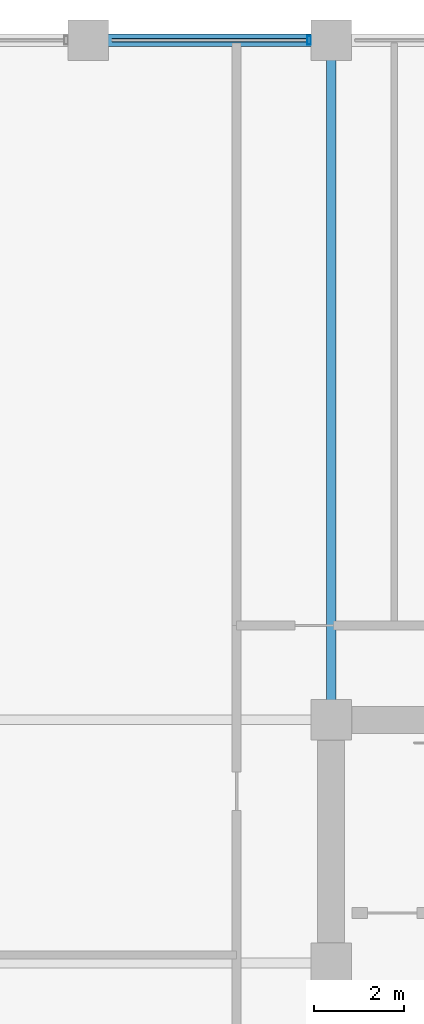
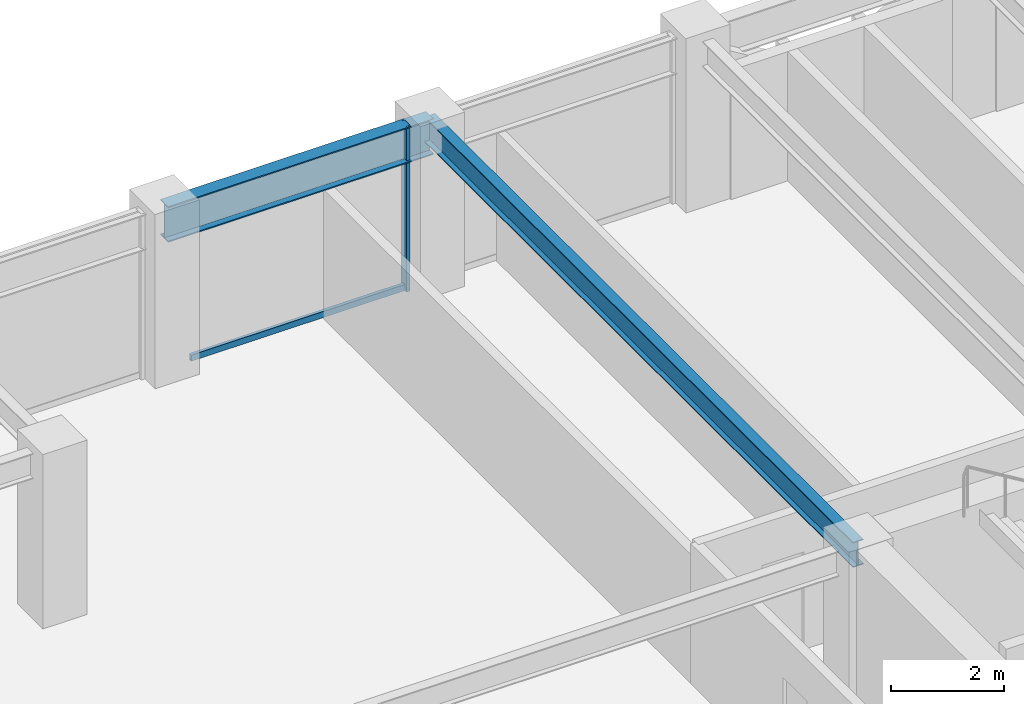
# One storey, part 19 of 32: 2 beams, 2 members, 1 element without a shape of its own.
"""IFC4 building model written with IfcOpenShell, lengths in metres."""

from ifc_helpers import new_model, si_unit, direction, frame, origin, origin_2d, place, context, subcontext, project, spatial, hollow_rectangle, i_section, extrude, material, layer, layer_set, material_profile, profile_set, type_object, element, aggregate, save


model = new_model("IFC4")

# Units and contexts
model_context = context("Model", 3, precision=1e-05, world=origin(), true_north=direction((0.0, 1.0)))
body_context = subcontext(model_context, "Body", "Model", "MODEL_VIEW")
ifc_project = project(units=[si_unit("LENGTHUNIT", "METRE"), si_unit("AREAUNIT", "SQUARE_METRE"), si_unit("VOLUMEUNIT", "CUBIC_METRE"), si_unit("PLANEANGLEUNIT", "RADIAN"), si_unit("MASSUNIT", "GRAM", prefix="KILO")], contexts=[model_context])

# Site, building, storey
site_placement = place(None, origin())
site = spatial("IfcSite", under=ifc_project, at=site_placement, CompositionType="ELEMENT")
building_placement = place(site_placement, origin())
building = spatial("IfcBuilding", under=site, at=building_placement, Name="Surkhivell Harbour Commons", CompositionType="ELEMENT")
storey_placement = place(building_placement, frame((0.0, 0.0, 208.5)))
storey = spatial("IfcBuildingStorey", under=building, at=storey_placement, Name="L54", CompositionType="ELEMENT", Elevation=208.5)

# Beams
ifc_material_1 = material(Name="Steel S355", Category="steel")
ifc_material_profile_1 = material_profile(ifc_material_1, i_section(OverallWidth=0.2119140625, OverallDepth=0.5439453125, WebThickness=0.0126953125, FlangeThickness=0.021240234375, at=origin_2d()), Name="UB533x210x122")
ifc_profile_set_1 = profile_set([ifc_material_profile_1], Name="Steel S355")
beam_type_1 = type_object("IfcBeamType", Name="BM-GRD-533A", PredefinedType="BEAM", material=ifc_profile_set_1)
beam_1_placement = place(storey_placement, frame((-10.800048828125, 10.800048828125, 3.298095703125), z_axis=(0.0, 1.0, 0.0), x_axis=(-1.0, 0.0, 0.0)))
element("IfcBeam", 1, at=beam_1_placement, inside=storey, type_object=beam_type_1, Name="L54 Floor Girder (-10.8,10.8)", PredefinedType="BEAM", context=body_context, shape_type="SweptSolid", body=[
    extrude(i_section(OverallWidth=0.2119140625, OverallDepth=0.5439453125, WebThickness=0.0126953125, FlangeThickness=0.021240234375, at=origin_2d()), origin(), (0.0, 0.0, 1.0), 15.099853515625),
])
ifc_material_profile_2 = material_profile(ifc_material_1, i_section(OverallWidth=0.26806640625, OverallDepth=0.77001953125, WebThickness=0.015625, FlangeThickness=0.025390625, at=origin_2d()), Name="UB762x267x197")
ifc_profile_set_2 = profile_set([ifc_material_profile_2], Name="Steel S355")
beam_type_2 = type_object("IfcBeamType", Name="BM-SPN-762", PredefinedType="SPANDREL", material=ifc_profile_set_2)
beam_2_placement = place(storey_placement, frame((-16.199951171875, 25.89990234375, 3.18505859375), z_axis=(1.0, 0.0, 0.0), x_axis=(0.0, 1.0, 0.0)))
element("IfcBeam", 2, at=beam_2_placement, inside=storey, type_object=beam_type_2, Name="L54 Tube Spandrel (-16.2,25.9)", PredefinedType="SPANDREL", context=body_context, shape_type="SweptSolid", body=[
    extrude(i_section(OverallWidth=0.26806640625, OverallDepth=0.77001953125, WebThickness=0.015625, FlangeThickness=0.025390625, at=origin_2d()), origin(), (0.0, 0.0, 1.0), 5.39990234375),
])

# Curtain wall, members
ifc_material_2 = material(Name="Anodised pale-metal aluminium and insulated glazing", Category="aluminium")
ifc_layer = layer(ifc_material_2, 0.18994140625)
ifc_layer_set = layer_set([ifc_layer], Name="Anodised pale-metal aluminium and insulated glazing")
curtain_wall_type = type_object("IfcCurtainWallType", Name="CW-SYS-Z3", PredefinedType="NOTDEFINED", material=ifc_layer_set)
curtain_wall_placement = place(storey_placement, origin())
curtain_wall = element("IfcCurtainWall", 3, at=curtain_wall_placement, inside=storey, type_object=curtain_wall_type, Name="L54 Curtain Wall CW-L54-E07S2", PredefinedType="NOTDEFINED")
ifc_material_3 = material(Name="Anodised pale-metal aluminium alloy 6063-T6", Category="aluminium")
ifc_material_profile_3 = material_profile(ifc_material_3, hollow_rectangle(XDim=0.074951171875, YDim=0.18994140625, WallThickness=0.00390625, at=origin_2d()), Name="ALU-MULL-75x190")
ifc_profile_set_3 = profile_set([ifc_material_profile_3], Name="Anodised pale-metal aluminium alloy 6063-T6")
member_type_1 = type_object("IfcMemberType", Name="CWM-190", PredefinedType="MULLION", material=ifc_profile_set_3)
member_1_placement = place(storey_placement, frame((-11.28955078125, 25.89990234375, 0.0), z_axis=(0.0, 0.0, 1.0), x_axis=(-1.0, 0.0, 0.0)))
member_1 = element("IfcMember", 4, at=member_1_placement, type_object=member_type_1, Name="CW-Z3 mullion 2", PredefinedType="MULLION", context=body_context, shape_type="SweptSolid", body=[
    extrude(hollow_rectangle(XDim=0.074951171875, YDim=0.18994140625, WallThickness=0.00390625, at=origin_2d()), origin(), (0.0, 0.0, 1.0), 3.570068359375),
])
ifc_material_4 = material(Name="Champagne anodised aluminium alloy 6063-T6", Category="aluminium")
ifc_material_profile_4 = material_profile(ifc_material_4, hollow_rectangle(XDim=0.070068359375, YDim=0.1298828125, WallThickness=0.00341796875, at=origin_2d()), Name="ALU-TRAN-70x130")
ifc_profile_set_4 = profile_set([ifc_material_profile_4], Name="Champagne anodised aluminium alloy 6063-T6")
member_type_2 = type_object("IfcMemberType", Name="CWT-130", PredefinedType="USERDEFINED", material=ifc_profile_set_4)
member_2_placement = place(storey_placement, frame((-11.326904296875, 25.89990234375, 0.06494140625), z_axis=(-1.0, 0.0, 0.0), x_axis=(0.0, -1.0, 0.0)))
member_2 = element("IfcMember", 5, at=member_2_placement, type_object=member_type_2, Name="CW-Z3 transom 2.1", ObjectType="TRANSOM", PredefinedType="USERDEFINED", context=body_context, shape_type="SweptSolid", body=[
    extrude(hollow_rectangle(XDim=0.070068359375, YDim=0.1298828125, WallThickness=0.00341796875, at=origin_2d()), origin(), (0.0, 0.0, 1.0), 4.34619140625),
])
aggregate(curtain_wall, [member_1, member_2])

save(model, "model.ifc")
